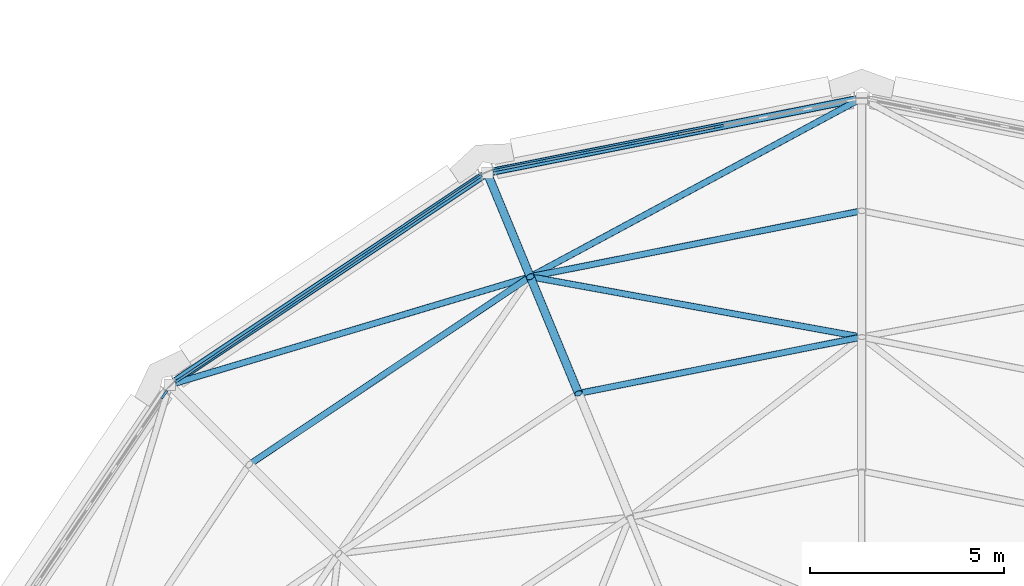
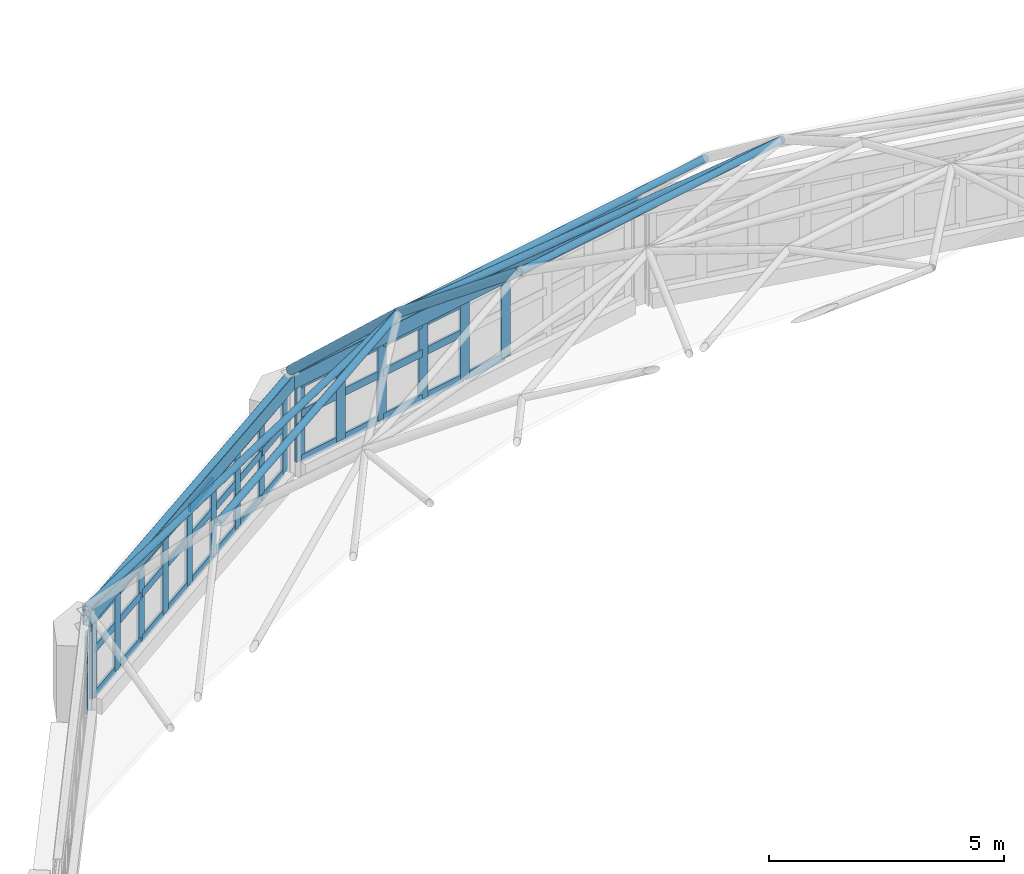
# One storey, part 25 of 68: 61 members, 2 beams, 3 elements without a shape of their own.
"""IFC4 building model written with IfcOpenShell, lengths in metres."""

from ifc_helpers import new_model, si_unit, direction, frame, origin, origin_2d, place, context, subcontext, project, spatial, rectangle, hollow_rectangle, hollow_circle, extrude, material, material_profile, profile_set, type_object, element, aggregate, save


model = new_model("IFC4")

# Units and contexts
model_context = context("Model", 3, precision=1e-05, world=origin(), true_north=direction((0.0, 1.0)))
body_context = subcontext(model_context, "Body", "Model", "MODEL_VIEW")
ifc_project = project(units=[si_unit("LENGTHUNIT", "METRE"), si_unit("AREAUNIT", "SQUARE_METRE"), si_unit("VOLUMEUNIT", "CUBIC_METRE"), si_unit("PLANEANGLEUNIT", "RADIAN"), si_unit("MASSUNIT", "GRAM", prefix="KILO")], contexts=[model_context])

# Site, building, storey
site_placement = place(None, origin())
site = spatial("IfcSite", under=ifc_project, at=site_placement, CompositionType="ELEMENT")
building_placement = place(site_placement, origin())
building = spatial("IfcBuilding", under=site, at=building_placement, Name="Kupolbacken Congress Centre", CompositionType="ELEMENT")
storey_placement = place(building_placement, frame((0.0, 0.0, 25.199951171875)))
storey = spatial("IfcBuildingStorey", under=building, at=storey_placement, Name="L07", CompositionType="ELEMENT", Elevation=25.199951171875)

# Beams
ifc_material_1 = material(Name="Steel S355", Category="steel")
ifc_material_profile_1 = material_profile(ifc_material_1, hollow_rectangle(XDim=0.199951171875, YDim=0.39990234375, WallThickness=0.012451171875, InnerFilletRadius=0.012451171875, OuterFilletRadius=0.018798828125, at=origin_2d()), Name="RHS 400 x 200 x 12.5")
ifc_profile_set_1 = profile_set([ifc_material_profile_1], Name="Steel S355")
beam_type = type_object("IfcBeamType", Name="B19 ring beam RHS 400 x 200 x 12.5", PredefinedType="BEAM", material=ifc_profile_set_1)
for number, where, z_axis, x_axis, name in (
    (1, (43.180419921875, 111.59619140625, 2.590087890625), (-0.98078152375, -0.195109207038, 0.0), (0.195109207038, -0.98078152375, 0.0), "DM/RB/05"),
    (2, (33.539794921875, 109.670654296875, 2.590087890625), (-0.831474515513, -0.555562894777, 0.0), (0.555562894777, -0.831474515513, 0.0), "DM/RB/06"),
):
    element("IfcBeam", number, at=place(storey_placement, frame(where, z_axis=z_axis, x_axis=x_axis)), inside=storey, type_object=beam_type, Name=name, PredefinedType="BEAM", context=body_context, shape_type="SweptSolid", body=[
        extrude(hollow_rectangle(XDim=0.199951171875, YDim=0.39990234375, WallThickness=0.012451171875, InnerFilletRadius=0.012451171875, OuterFilletRadius=0.018798828125, at=origin_2d()), origin(), (0.0, 0.0, 1.0), 9.792724609375),
    ])

# Members
ifc_material_2 = material(Name="Steel S355", Category="steel")
ifc_material_profile_2 = material_profile(ifc_material_2, hollow_circle(Radius=0.109619140625, WallThickness=0.010009765625, at=origin_2d()), Name="CHS 219.1 x 10")
ifc_profile_set_2 = profile_set([ifc_material_profile_2], Name="Steel S355")
member_type_1 = type_object("IfcMemberType", Name="M15 dome rib CHS 219.1 x 10", PredefinedType="BRACE", material=ifc_profile_set_2)
member_1_placement = place(storey_placement, frame((33.556396484375, 109.681884765625, 2.86279296875), z_axis=(0.27830154342, -0.671878451173, 0.686387352579), x_axis=(0.923879349385, 0.38268387447, 0.0)))
element("IfcMember", 3, at=member_1_placement, inside=storey, type_object=member_type_1, Name="DM/RIB01-06", PredefinedType="BRACE", context=body_context, shape_type="SweptSolid", body=[
    extrude(hollow_circle(Radius=0.109619140625, WallThickness=0.010009765625, at=origin_2d()), origin(), (0.0, 0.0, 1.0), 3.988037109375),
])
member_2_placement = place(storey_placement, frame((34.666259765625, 107.00244140625, 5.60009765625), z_axis=(0.305577803829, -0.737729845207, 0.60197747574), x_axis=(0.923879489751, 0.382683535598, 0.0)))
element("IfcMember", 4, at=member_2_placement, inside=storey, type_object=member_type_1, Name="DM/RIB02-06", PredefinedType="BRACE", context=body_context, shape_type="SweptSolid", body=[
    extrude(hollow_circle(Radius=0.109619140625, WallThickness=0.010009765625, at=origin_2d()), origin(), (0.0, 0.0, 1.0), 4.06982421875),
])
ifc_material_3 = material(Name="Steel S355", Category="steel")
ifc_material_profile_3 = material_profile(ifc_material_3, hollow_circle(Radius=0.084228515625, WallThickness=0.008056640625, at=origin_2d()), Name="CHS 168.3 x 8")
ifc_profile_set_3 = profile_set([ifc_material_profile_3], Name="Steel S355")
member_type_2 = type_object("IfcMemberType", Name="M16 dome rib CHS 168.3 x 8", PredefinedType="BRACE", material=ifc_profile_set_3)
member_3_placement = place(storey_placement, frame((43.199951171875, 111.60009765625, 2.86279296875), z_axis=(-0.847227111169, -0.456456513061, 0.271760324153), x_axis=(0.474307076394, -0.880359470491, 0.0)))
element("IfcMember", 5, at=member_3_placement, inside=storey, type_object=member_type_2, Name="DM/DIA01-05", PredefinedType="BRACE", context=body_context, shape_type="SweptSolid", body=[
    extrude(hollow_circle(Radius=0.084228515625, WallThickness=0.008056640625, at=origin_2d()), origin(), (0.0, 0.0, 1.0), 10.072509765625),
])
member_4_placement = place(storey_placement, frame((34.666259765625, 107.00244140625, 5.60009765625), z_axis=(-0.921839225376, -0.276336050496, -0.271755091497), x_axis=(0.287142234188, -0.957887956572, 0.0)))
element("IfcMember", 6, at=member_4_placement, inside=storey, type_object=member_type_2, Name="DM/DIA01-06", PredefinedType="BRACE", context=body_context, shape_type="SweptSolid", body=[
    extrude(hollow_circle(Radius=0.084228515625, WallThickness=0.008056640625, at=origin_2d()), origin(), (0.0, 0.0, 1.0), 10.07275390625),
])
member_5_placement = place(storey_placement, frame((43.199951171875, 105.449951171875, 8.050048828125), z_axis=(-0.946807444988, 0.172247769717, -0.271820470059), x_axis=(-0.178986991747, -0.983851440404, 0.0)))
element("IfcMember", 7, at=member_5_placement, inside=storey, type_object=member_type_2, Name="DM/DIA02-05", PredefinedType="BRACE", context=body_context, shape_type="SweptSolid", body=[
    extrude(hollow_circle(Radius=0.084228515625, WallThickness=0.008056640625, at=origin_2d()), origin(), (0.0, 0.0, 1.0), 9.01318359375),
])
ifc_material_4 = material(Name="Steel S355", Category="steel")
ifc_material_profile_4 = material_profile(ifc_material_4, hollow_circle(Radius=0.084228515625, WallThickness=0.008056640625, at=origin_2d()), Name="CHS 168.3 x 8")
ifc_profile_set_4 = profile_set([ifc_material_profile_4], Name="Steel S355")
member_type_3 = type_object("IfcMemberType", Name="M17 dome ring CHS 168.3 x 8", PredefinedType="BRACE", material=ifc_profile_set_4)
for number, where, z_axis, x_axis, name in (
    (8, (43.199951171875, 108.699951171875, 5.60009765625), (-0.980784114738, -0.195096182119, 0.0), (0.195096182119, -0.980784114738, 0.0), "DM/RNG01-05"),
    (9, (34.666259765625, 107.00244140625, 5.60009765625), (-0.831471395516, -0.555567564243, 0.0), (0.555567564243, -0.831471395516, 0.0), "DM/RNG01-06"),
):
    element("IfcMember", number, at=place(storey_placement, frame(where, z_axis=z_axis, x_axis=x_axis)), inside=storey, type_object=member_type_3, Name=name, PredefinedType="BRACE", context=body_context, shape_type="SweptSolid", body=[
        extrude(hollow_circle(Radius=0.084228515625, WallThickness=0.008056640625, at=origin_2d()), origin(), (0.0, 0.0, 1.0), 8.700927734375),
    ])
member_6_placement = place(storey_placement, frame((43.199951171875, 105.449951171875, 8.050048828125), z_axis=(-0.980788569065, -0.195073788067, 0.0), x_axis=(0.195073788067, -0.980788569065, 0.0)))
element("IfcMember", 10, at=member_6_placement, inside=storey, type_object=member_type_3, Name="DM/RNG02-05", PredefinedType="BRACE", context=body_context, shape_type="SweptSolid", body=[
    extrude(hollow_circle(Radius=0.084228515625, WallThickness=0.008056640625, at=origin_2d()), origin(), (0.0, 0.0, 1.0), 7.432861328125),
])

# Curtain wall, members
ifc_material_5 = material(Name="Aluminium mullion-transom frame with glass", Category="aluminium")
curtain_wall_type = type_object("IfcCurtainWallType", Name="CW3 curtain wall 9830x3600", PredefinedType="NOTDEFINED", material=ifc_material_5)
curtain_wall_1_placement = place(storey_placement, origin())
curtain_wall_1 = element("IfcCurtainWall", 11, at=curtain_wall_1_placement, inside=storey, type_object=curtain_wall_type, Name="E/P/drum/cw/L07/12", PredefinedType="NOTDEFINED")
ifc_material_6 = material(Name="Aluminium alloy", Category="aluminium")
ifc_material_profile_5 = material_profile(ifc_material_6, rectangle(XDim=0.06005859375, YDim=0.25, at=origin_2d()), Name="60 x 250")
ifc_profile_set_5 = profile_set([ifc_material_profile_5], Name="Aluminium alloy")
member_type_4 = type_object("IfcMemberType", Name="MU3 mullion 60x250", PredefinedType="MULLION", material=ifc_profile_set_5)
member_7_placement = place(storey_placement, frame((39.52001953125, 110.87548828125, 0.400146484375), z_axis=(0.0, 0.0, 1.0), x_axis=(0.193182327812, -0.981162875481, 0.0)))
member_7 = element("IfcMember", 12, at=member_7_placement, type_object=member_type_4, Name="CW3 mullion 4", PredefinedType="MULLION", context=body_context, shape_type="SweptSolid", body=[
    extrude(rectangle(XDim=0.06005859375, YDim=0.25, at=origin_2d()), origin(), (0.0, 0.0, 1.0), 1.989990234375),
])
member_8_placement = place(storey_placement, frame((38.375, 110.64990234375, 0.400146484375), z_axis=(0.0, 0.0, 1.0), x_axis=(0.193182327812, -0.981162875481, 0.0)))
member_8 = element("IfcMember", 13, at=member_8_placement, type_object=member_type_4, Name="CW3 mullion 5", PredefinedType="MULLION", context=body_context, shape_type="SweptSolid", body=[
    extrude(rectangle(XDim=0.06005859375, YDim=0.25, at=origin_2d()), origin(), (0.0, 0.0, 1.0), 1.989990234375),
])
member_9_placement = place(storey_placement, frame((37.22998046875, 110.424560546875, 0.400146484375), z_axis=(0.0, 0.0, 1.0), x_axis=(0.193182327812, -0.981162875481, 0.0)))
member_9 = element("IfcMember", 14, at=member_9_placement, type_object=member_type_4, Name="CW3 mullion 6", PredefinedType="MULLION", context=body_context, shape_type="SweptSolid", body=[
    extrude(rectangle(XDim=0.06005859375, YDim=0.25, at=origin_2d()), origin(), (0.0, 0.0, 1.0), 1.989990234375),
])
member_10_placement = place(storey_placement, frame((36.085205078125, 110.19921875, 0.400146484375), z_axis=(0.0, 0.0, 1.0), x_axis=(0.193182327812, -0.981162875481, 0.0)))
member_10 = element("IfcMember", 15, at=member_10_placement, type_object=member_type_4, Name="CW3 mullion 7", PredefinedType="MULLION", context=body_context, shape_type="SweptSolid", body=[
    extrude(rectangle(XDim=0.06005859375, YDim=0.25, at=origin_2d()), origin(), (0.0, 0.0, 1.0), 1.989990234375),
])
member_11_placement = place(storey_placement, frame((34.940185546875, 109.9736328125, 0.400146484375), z_axis=(0.0, 0.0, 1.0), x_axis=(0.193182327812, -0.981162875481, 0.0)))
member_11 = element("IfcMember", 16, at=member_11_placement, type_object=member_type_4, Name="CW3 mullion 8", PredefinedType="MULLION", context=body_context, shape_type="SweptSolid", body=[
    extrude(rectangle(XDim=0.06005859375, YDim=0.25, at=origin_2d()), origin(), (0.0, 0.0, 1.0), 1.989990234375),
])
member_12_placement = place(storey_placement, frame((33.82470703125, 109.754150390625, 0.400146484375), z_axis=(0.0, 0.0, 1.0), x_axis=(0.193182327812, -0.981162875481, 0.0)))
member_12 = element("IfcMember", 17, at=member_12_placement, type_object=member_type_4, Name="CW3 mullion 9", PredefinedType="MULLION", context=body_context, shape_type="SweptSolid", body=[
    extrude(rectangle(XDim=0.06005859375, YDim=0.25, at=origin_2d()), origin(), (0.0, 0.0, 1.0), 1.989990234375),
])

curtain_wall_2_placement = place(storey_placement, origin())
curtain_wall_2 = element("IfcCurtainWall", 18, at=curtain_wall_2_placement, inside=storey, type_object=curtain_wall_type, Name="E/P/drum/cw/L07/13", PredefinedType="NOTDEFINED")
member_13_placement = place(storey_placement, frame((33.31787109375, 109.54345703125, 0.400146484375), z_axis=(0.0, 0.0, 1.0), x_axis=(0.559385512775, -0.82890762338, 0.0)))
member_13 = element("IfcMember", 19, at=member_13_placement, type_object=member_type_4, Name="CW3 mullion 1", PredefinedType="MULLION", context=body_context, shape_type="SweptSolid", body=[
    extrude(rectangle(XDim=0.06005859375, YDim=0.25, at=origin_2d()), origin(), (0.0, 0.0, 1.0), 1.989990234375),
])
member_14_placement = place(storey_placement, frame((32.375732421875, 108.90771484375, 0.400146484375), z_axis=(0.0, 0.0, 1.0), x_axis=(0.559385512775, -0.82890762338, 0.0)))
member_14 = element("IfcMember", 20, at=member_14_placement, type_object=member_type_4, Name="CW3 mullion 2", PredefinedType="MULLION", context=body_context, shape_type="SweptSolid", body=[
    extrude(rectangle(XDim=0.06005859375, YDim=0.25, at=origin_2d()), origin(), (0.0, 0.0, 1.0), 1.989990234375),
])
member_15_placement = place(storey_placement, frame((31.408935546875, 108.255126953125, 0.400146484375), z_axis=(0.0, 0.0, 1.0), x_axis=(0.559385512775, -0.82890762338, 0.0)))
member_15 = element("IfcMember", 21, at=member_15_placement, type_object=member_type_4, Name="CW3 mullion 3", PredefinedType="MULLION", context=body_context, shape_type="SweptSolid", body=[
    extrude(rectangle(XDim=0.06005859375, YDim=0.25, at=origin_2d()), origin(), (0.0, 0.0, 1.0), 1.989990234375),
])
member_16_placement = place(storey_placement, frame((30.44189453125, 107.6025390625, 0.400146484375), z_axis=(0.0, 0.0, 1.0), x_axis=(0.559385512775, -0.82890762338, 0.0)))
member_16 = element("IfcMember", 22, at=member_16_placement, type_object=member_type_4, Name="CW3 mullion 4", PredefinedType="MULLION", context=body_context, shape_type="SweptSolid", body=[
    extrude(rectangle(XDim=0.06005859375, YDim=0.25, at=origin_2d()), origin(), (0.0, 0.0, 1.0), 1.989990234375),
])
member_17_placement = place(storey_placement, frame((29.47509765625, 106.949951171875, 0.400146484375), z_axis=(0.0, 0.0, 1.0), x_axis=(0.559385512775, -0.82890762338, 0.0)))
member_17 = element("IfcMember", 23, at=member_17_placement, type_object=member_type_4, Name="CW3 mullion 5", PredefinedType="MULLION", context=body_context, shape_type="SweptSolid", body=[
    extrude(rectangle(XDim=0.06005859375, YDim=0.25, at=origin_2d()), origin(), (0.0, 0.0, 1.0), 1.989990234375),
])
member_18_placement = place(storey_placement, frame((28.508056640625, 106.29736328125, 0.400146484375), z_axis=(0.0, 0.0, 1.0), x_axis=(0.559385512775, -0.82890762338, 0.0)))
member_18 = element("IfcMember", 24, at=member_18_placement, type_object=member_type_4, Name="CW3 mullion 6", PredefinedType="MULLION", context=body_context, shape_type="SweptSolid", body=[
    extrude(rectangle(XDim=0.06005859375, YDim=0.25, at=origin_2d()), origin(), (0.0, 0.0, 1.0), 1.989990234375),
])
member_19_placement = place(storey_placement, frame((27.541015625, 105.64501953125, 0.400146484375), z_axis=(0.0, 0.0, 1.0), x_axis=(0.559385512775, -0.82890762338, 0.0)))
member_19 = element("IfcMember", 25, at=member_19_placement, type_object=member_type_4, Name="CW3 mullion 7", PredefinedType="MULLION", context=body_context, shape_type="SweptSolid", body=[
    extrude(rectangle(XDim=0.06005859375, YDim=0.25, at=origin_2d()), origin(), (0.0, 0.0, 1.0), 1.989990234375),
])
member_20_placement = place(storey_placement, frame((26.57421875, 104.992431640625, 0.400146484375), z_axis=(0.0, 0.0, 1.0), x_axis=(0.559385512775, -0.82890762338, 0.0)))
member_20 = element("IfcMember", 26, at=member_20_placement, type_object=member_type_4, Name="CW3 mullion 8", PredefinedType="MULLION", context=body_context, shape_type="SweptSolid", body=[
    extrude(rectangle(XDim=0.06005859375, YDim=0.25, at=origin_2d()), origin(), (0.0, 0.0, 1.0), 1.989990234375),
])
member_21_placement = place(storey_placement, frame((25.632080078125, 104.356689453125, 0.400146484375), z_axis=(0.0, 0.0, 1.0), x_axis=(0.559385512775, -0.82890762338, 0.0)))
member_21 = element("IfcMember", 27, at=member_21_placement, type_object=member_type_4, Name="CW3 mullion 9", PredefinedType="MULLION", context=body_context, shape_type="SweptSolid", body=[
    extrude(rectangle(XDim=0.06005859375, YDim=0.25, at=origin_2d()), origin(), (0.0, 0.0, 1.0), 1.989990234375),
])

# Curtain wall, member
curtain_wall_3_placement = place(storey_placement, origin())
curtain_wall_3 = element("IfcCurtainWall", 28, at=curtain_wall_3_placement, inside=storey, type_object=curtain_wall_type, Name="E/P/drum/cw/L07/14", PredefinedType="NOTDEFINED")
member_22_placement = place(storey_placement, frame((25.243408203125, 103.968017578125, 0.400146484375), z_axis=(0.0, 0.0, 1.0), x_axis=(0.82890762338, -0.559385512775, 0.0)))
member_22 = element("IfcMember", 29, at=member_22_placement, type_object=member_type_4, Name="CW3 mullion 1", PredefinedType="MULLION", context=body_context, shape_type="SweptSolid", body=[
    extrude(rectangle(XDim=0.06005859375, YDim=0.25, at=origin_2d()), origin(), (0.0, 0.0, 1.0), 1.989990234375),
])
aggregate(curtain_wall_3, [member_22])

# Member
ifc_material_7 = material(Name="Aluminium alloy", Category="aluminium")
ifc_material_profile_6 = material_profile(ifc_material_7, rectangle(XDim=0.06005859375, YDim=0.199951171875, at=origin_2d()), Name="60 x 200")
ifc_profile_set_6 = profile_set([ifc_material_profile_6], Name="Aluminium alloy")
member_type_5 = type_object("IfcMemberType", Name="TR3 transom 60x200", PredefinedType="MULLION", material=ifc_profile_set_6)
member_23_placement = place(storey_placement, frame((39.490478515625, 110.86962890625, 0.429931640625), z_axis=(-0.981153342462, -0.193230739208, 0.0), x_axis=(0.193230739208, -0.981153342462, 0.0)))
member_23 = element("IfcMember", 30, at=member_23_placement, type_object=member_type_5, Name="CW3 transom 4.1", PredefinedType="MULLION", context=body_context, shape_type="SweptSolid", body=[
    extrude(rectangle(XDim=0.06005859375, YDim=0.199951171875, at=origin_2d()), origin(), (0.0, 0.0, 1.0), 1.106689453125),
])

member_24_placement = place(storey_placement, frame((38.345458984375, 110.644287109375, 0.429931640625), z_axis=(-0.981153342462, -0.193230739208, 0.0), x_axis=(0.193230739208, -0.981153342462, 0.0)))
member_24 = element("IfcMember", 31, at=member_24_placement, type_object=member_type_5, Name="CW3 transom 5.1", PredefinedType="MULLION", context=body_context, shape_type="SweptSolid", body=[
    extrude(rectangle(XDim=0.06005859375, YDim=0.199951171875, at=origin_2d()), origin(), (0.0, 0.0, 1.0), 1.106689453125),
])

member_25_placement = place(storey_placement, frame((38.345458984375, 110.644287109375, 1.60009765625), z_axis=(-0.981153342462, -0.193230739208, 0.0), x_axis=(0.193230739208, -0.981153342462, 0.0)))
member_25 = element("IfcMember", 32, at=member_25_placement, type_object=member_type_5, Name="CW3 transom 5.2", PredefinedType="MULLION", context=body_context, shape_type="SweptSolid", body=[
    extrude(rectangle(XDim=0.06005859375, YDim=0.199951171875, at=origin_2d()), origin(), (0.0, 0.0, 1.0), 1.106689453125),
])

member_26_placement = place(storey_placement, frame((38.345458984375, 110.644287109375, 2.360107421875), z_axis=(-0.981153342462, -0.193230739208, 0.0), x_axis=(0.193230739208, -0.981153342462, 0.0)))
member_26 = element("IfcMember", 33, at=member_26_placement, type_object=member_type_5, Name="CW3 transom 5.3", PredefinedType="MULLION", context=body_context, shape_type="SweptSolid", body=[
    extrude(rectangle(XDim=0.06005859375, YDim=0.199951171875, at=origin_2d()), origin(), (0.0, 0.0, 1.0), 1.106689453125),
])

member_27_placement = place(storey_placement, frame((37.20068359375, 110.418701171875, 0.429931640625), z_axis=(-0.981161575945, -0.193188927968, 0.0), x_axis=(0.193188927968, -0.981161575945, 0.0)))
member_27 = element("IfcMember", 34, at=member_27_placement, type_object=member_type_5, Name="CW3 transom 6.1", PredefinedType="MULLION", context=body_context, shape_type="SweptSolid", body=[
    extrude(rectangle(XDim=0.06005859375, YDim=0.199951171875, at=origin_2d()), origin(), (0.0, 0.0, 1.0), 1.10693359375),
])

member_28_placement = place(storey_placement, frame((37.20068359375, 110.418701171875, 1.60009765625), z_axis=(-0.981161575945, -0.193188927968, 0.0), x_axis=(0.193188927968, -0.981161575945, 0.0)))
member_28 = element("IfcMember", 35, at=member_28_placement, type_object=member_type_5, Name="CW3 transom 6.2", PredefinedType="MULLION", context=body_context, shape_type="SweptSolid", body=[
    extrude(rectangle(XDim=0.06005859375, YDim=0.199951171875, at=origin_2d()), origin(), (0.0, 0.0, 1.0), 1.10693359375),
])

member_29_placement = place(storey_placement, frame((37.20068359375, 110.418701171875, 2.360107421875), z_axis=(-0.981161575945, -0.193188927968, 0.0), x_axis=(0.193188927968, -0.981161575945, 0.0)))
member_29 = element("IfcMember", 36, at=member_29_placement, type_object=member_type_5, Name="CW3 transom 6.3", PredefinedType="MULLION", context=body_context, shape_type="SweptSolid", body=[
    extrude(rectangle(XDim=0.06005859375, YDim=0.199951171875, at=origin_2d()), origin(), (0.0, 0.0, 1.0), 1.10693359375),
])

member_30_placement = place(storey_placement, frame((36.0556640625, 110.193359375, 0.429931640625), z_axis=(-0.981153342462, -0.193230739208, 0.0), x_axis=(0.193230739208, -0.981153342462, 0.0)))
member_30 = element("IfcMember", 37, at=member_30_placement, type_object=member_type_5, Name="CW3 transom 7.1", PredefinedType="MULLION", context=body_context, shape_type="SweptSolid", body=[
    extrude(rectangle(XDim=0.06005859375, YDim=0.199951171875, at=origin_2d()), origin(), (0.0, 0.0, 1.0), 1.106689453125),
])

member_31_placement = place(storey_placement, frame((36.0556640625, 110.193359375, 1.60009765625), z_axis=(-0.981153342462, -0.193230739208, 0.0), x_axis=(0.193230739208, -0.981153342462, 0.0)))
member_31 = element("IfcMember", 38, at=member_31_placement, type_object=member_type_5, Name="CW3 transom 7.2", PredefinedType="MULLION", context=body_context, shape_type="SweptSolid", body=[
    extrude(rectangle(XDim=0.06005859375, YDim=0.199951171875, at=origin_2d()), origin(), (0.0, 0.0, 1.0), 1.106689453125),
])

member_32_placement = place(storey_placement, frame((36.0556640625, 110.193359375, 2.360107421875), z_axis=(-0.981153342462, -0.193230739208, 0.0), x_axis=(0.193230739208, -0.981153342462, 0.0)))
member_32 = element("IfcMember", 39, at=member_32_placement, type_object=member_type_5, Name="CW3 transom 7.3", PredefinedType="MULLION", context=body_context, shape_type="SweptSolid", body=[
    extrude(rectangle(XDim=0.06005859375, YDim=0.199951171875, at=origin_2d()), origin(), (0.0, 0.0, 1.0), 1.106689453125),
])

member_33_placement = place(storey_placement, frame((34.910888671875, 109.968017578125, 0.429931640625), z_axis=(-0.98112612336, -0.193368896309, 0.0), x_axis=(0.193368896309, -0.98112612336, 0.0)))
member_33 = element("IfcMember", 40, at=member_33_placement, type_object=member_type_5, Name="CW3 transom 8.1", PredefinedType="MULLION", context=body_context, shape_type="SweptSolid", body=[
    extrude(rectangle(XDim=0.06005859375, YDim=0.199951171875, at=origin_2d()), origin(), (0.0, 0.0, 1.0), 1.076904296875),
])

member_34_placement = place(storey_placement, frame((34.910888671875, 109.968017578125, 1.60009765625), z_axis=(-0.98112612336, -0.193368896309, 0.0), x_axis=(0.193368896309, -0.98112612336, 0.0)))
member_34 = element("IfcMember", 41, at=member_34_placement, type_object=member_type_5, Name="CW3 transom 8.2", PredefinedType="MULLION", context=body_context, shape_type="SweptSolid", body=[
    extrude(rectangle(XDim=0.06005859375, YDim=0.199951171875, at=origin_2d()), origin(), (0.0, 0.0, 1.0), 1.076904296875),
])

member_35_placement = place(storey_placement, frame((34.910888671875, 109.968017578125, 2.360107421875), z_axis=(-0.98112612336, -0.193368896309, 0.0), x_axis=(0.193368896309, -0.98112612336, 0.0)))
member_35 = element("IfcMember", 42, at=member_35_placement, type_object=member_type_5, Name="CW3 transom 8.3", PredefinedType="MULLION", context=body_context, shape_type="SweptSolid", body=[
    extrude(rectangle(XDim=0.06005859375, YDim=0.199951171875, at=origin_2d()), origin(), (0.0, 0.0, 1.0), 1.076904296875),
])

aggregate(curtain_wall_1, [member_7, member_8, member_9, member_10, member_11, member_12, member_23, member_24, member_25, member_26, member_27, member_28, member_29, member_30, member_31, member_32, member_33, member_34, member_35])

member_36_placement = place(storey_placement, frame((33.29296875, 109.526611328125, 0.429931640625), z_axis=(-0.8288618188, -0.559453380842, 0.0), x_axis=(0.559453380842, -0.8288618188, 0.0)))
member_36 = element("IfcMember", 43, at=member_36_placement, type_object=member_type_5, Name="CW3 transom 1.1", PredefinedType="MULLION", context=body_context, shape_type="SweptSolid", body=[
    extrude(rectangle(XDim=0.06005859375, YDim=0.199951171875, at=origin_2d()), origin(), (0.0, 0.0, 1.0), 1.07666015625),
])

member_37_placement = place(storey_placement, frame((33.29296875, 109.526611328125, 1.60009765625), z_axis=(-0.8288618188, -0.559453380842, 0.0), x_axis=(0.559453380842, -0.8288618188, 0.0)))
member_37 = element("IfcMember", 44, at=member_37_placement, type_object=member_type_5, Name="CW3 transom 1.2", PredefinedType="MULLION", context=body_context, shape_type="SweptSolid", body=[
    extrude(rectangle(XDim=0.06005859375, YDim=0.199951171875, at=origin_2d()), origin(), (0.0, 0.0, 1.0), 1.07666015625),
])

member_38_placement = place(storey_placement, frame((33.29296875, 109.526611328125, 2.360107421875), z_axis=(-0.8288618188, -0.559453380842, 0.0), x_axis=(0.559453380842, -0.8288618188, 0.0)))
member_38 = element("IfcMember", 45, at=member_38_placement, type_object=member_type_5, Name="CW3 transom 1.3", PredefinedType="MULLION", context=body_context, shape_type="SweptSolid", body=[
    extrude(rectangle(XDim=0.06005859375, YDim=0.199951171875, at=origin_2d()), origin(), (0.0, 0.0, 1.0), 1.07666015625),
])

member_39_placement = place(storey_placement, frame((32.35107421875, 108.890869140625, 0.429931640625), z_axis=(-0.828948418317, -0.559325057342, 0.0), x_axis=(0.559325057342, -0.828948418317, 0.0)))
member_39 = element("IfcMember", 46, at=member_39_placement, type_object=member_type_5, Name="CW3 transom 2.1", PredefinedType="MULLION", context=body_context, shape_type="SweptSolid", body=[
    extrude(rectangle(XDim=0.06005859375, YDim=0.199951171875, at=origin_2d()), origin(), (0.0, 0.0, 1.0), 1.1064453125),
])

member_40_placement = place(storey_placement, frame((32.35107421875, 108.890869140625, 1.60009765625), z_axis=(-0.828948418317, -0.559325057342, 0.0), x_axis=(0.559325057342, -0.828948418317, 0.0)))
member_40 = element("IfcMember", 47, at=member_40_placement, type_object=member_type_5, Name="CW3 transom 2.2", PredefinedType="MULLION", context=body_context, shape_type="SweptSolid", body=[
    extrude(rectangle(XDim=0.06005859375, YDim=0.199951171875, at=origin_2d()), origin(), (0.0, 0.0, 1.0), 1.1064453125),
])

member_41_placement = place(storey_placement, frame((32.35107421875, 108.890869140625, 2.360107421875), z_axis=(-0.828948418317, -0.559325057342, 0.0), x_axis=(0.559325057342, -0.828948418317, 0.0)))
member_41 = element("IfcMember", 48, at=member_41_placement, type_object=member_type_5, Name="CW3 transom 2.3", PredefinedType="MULLION", context=body_context, shape_type="SweptSolid", body=[
    extrude(rectangle(XDim=0.06005859375, YDim=0.199951171875, at=origin_2d()), origin(), (0.0, 0.0, 1.0), 1.1064453125),
])

member_42_placement = place(storey_placement, frame((31.384033203125, 108.23828125, 0.429931640625), z_axis=(-0.828948418317, -0.559325057342, 0.0), x_axis=(0.559325057342, -0.828948418317, 0.0)))
member_42 = element("IfcMember", 49, at=member_42_placement, type_object=member_type_5, Name="CW3 transom 3.1", PredefinedType="MULLION", context=body_context, shape_type="SweptSolid", body=[
    extrude(rectangle(XDim=0.06005859375, YDim=0.199951171875, at=origin_2d()), origin(), (0.0, 0.0, 1.0), 1.1064453125),
])

member_43_placement = place(storey_placement, frame((31.384033203125, 108.23828125, 1.60009765625), z_axis=(-0.828948418317, -0.559325057342, 0.0), x_axis=(0.559325057342, -0.828948418317, 0.0)))
member_43 = element("IfcMember", 50, at=member_43_placement, type_object=member_type_5, Name="CW3 transom 3.2", PredefinedType="MULLION", context=body_context, shape_type="SweptSolid", body=[
    extrude(rectangle(XDim=0.06005859375, YDim=0.199951171875, at=origin_2d()), origin(), (0.0, 0.0, 1.0), 1.1064453125),
])

member_44_placement = place(storey_placement, frame((31.384033203125, 108.23828125, 2.360107421875), z_axis=(-0.828948418317, -0.559325057342, 0.0), x_axis=(0.559325057342, -0.828948418317, 0.0)))
member_44 = element("IfcMember", 51, at=member_44_placement, type_object=member_type_5, Name="CW3 transom 3.3", PredefinedType="MULLION", context=body_context, shape_type="SweptSolid", body=[
    extrude(rectangle(XDim=0.06005859375, YDim=0.199951171875, at=origin_2d()), origin(), (0.0, 0.0, 1.0), 1.1064453125),
])

member_45_placement = place(storey_placement, frame((30.4169921875, 107.585693359375, 0.429931640625), z_axis=(-0.828948418317, -0.559325057342, 0.0), x_axis=(0.559325057342, -0.828948418317, 0.0)))
member_45 = element("IfcMember", 52, at=member_45_placement, type_object=member_type_5, Name="CW3 transom 4.1", PredefinedType="MULLION", context=body_context, shape_type="SweptSolid", body=[
    extrude(rectangle(XDim=0.06005859375, YDim=0.199951171875, at=origin_2d()), origin(), (0.0, 0.0, 1.0), 1.1064453125),
])

member_46_placement = place(storey_placement, frame((30.4169921875, 107.585693359375, 1.60009765625), z_axis=(-0.828948418317, -0.559325057342, 0.0), x_axis=(0.559325057342, -0.828948418317, 0.0)))
member_46 = element("IfcMember", 53, at=member_46_placement, type_object=member_type_5, Name="CW3 transom 4.2", PredefinedType="MULLION", context=body_context, shape_type="SweptSolid", body=[
    extrude(rectangle(XDim=0.06005859375, YDim=0.199951171875, at=origin_2d()), origin(), (0.0, 0.0, 1.0), 1.1064453125),
])

member_47_placement = place(storey_placement, frame((30.4169921875, 107.585693359375, 2.360107421875), z_axis=(-0.828948418317, -0.559325057342, 0.0), x_axis=(0.559325057342, -0.828948418317, 0.0)))
member_47 = element("IfcMember", 54, at=member_47_placement, type_object=member_type_5, Name="CW3 transom 4.3", PredefinedType="MULLION", context=body_context, shape_type="SweptSolid", body=[
    extrude(rectangle(XDim=0.06005859375, YDim=0.199951171875, at=origin_2d()), origin(), (0.0, 0.0, 1.0), 1.1064453125),
])

member_48_placement = place(storey_placement, frame((29.4501953125, 106.93310546875, 0.429931640625), z_axis=(-0.828948418317, -0.559325057342, 0.0), x_axis=(0.559325057342, -0.828948418317, 0.0)))
member_48 = element("IfcMember", 55, at=member_48_placement, type_object=member_type_5, Name="CW3 transom 5.1", PredefinedType="MULLION", context=body_context, shape_type="SweptSolid", body=[
    extrude(rectangle(XDim=0.06005859375, YDim=0.199951171875, at=origin_2d()), origin(), (0.0, 0.0, 1.0), 1.1064453125),
])

member_49_placement = place(storey_placement, frame((29.4501953125, 106.93310546875, 1.60009765625), z_axis=(-0.828948418317, -0.559325057342, 0.0), x_axis=(0.559325057342, -0.828948418317, 0.0)))
member_49 = element("IfcMember", 56, at=member_49_placement, type_object=member_type_5, Name="CW3 transom 5.2", PredefinedType="MULLION", context=body_context, shape_type="SweptSolid", body=[
    extrude(rectangle(XDim=0.06005859375, YDim=0.199951171875, at=origin_2d()), origin(), (0.0, 0.0, 1.0), 1.1064453125),
])

member_50_placement = place(storey_placement, frame((29.4501953125, 106.93310546875, 2.360107421875), z_axis=(-0.828948418317, -0.559325057342, 0.0), x_axis=(0.559325057342, -0.828948418317, 0.0)))
member_50 = element("IfcMember", 57, at=member_50_placement, type_object=member_type_5, Name="CW3 transom 5.3", PredefinedType="MULLION", context=body_context, shape_type="SweptSolid", body=[
    extrude(rectangle(XDim=0.06005859375, YDim=0.199951171875, at=origin_2d()), origin(), (0.0, 0.0, 1.0), 1.1064453125),
])

member_51_placement = place(storey_placement, frame((28.483154296875, 106.28076171875, 0.429931640625), z_axis=(-0.8288461165, -0.559476643983, 0.0), x_axis=(0.559476643983, -0.8288461165, 0.0)))
member_51 = element("IfcMember", 58, at=member_51_placement, type_object=member_type_5, Name="CW3 transom 6.1", PredefinedType="MULLION", context=body_context, shape_type="SweptSolid", body=[
    extrude(rectangle(XDim=0.06005859375, YDim=0.199951171875, at=origin_2d()), origin(), (0.0, 0.0, 1.0), 1.106689453125),
])

member_52_placement = place(storey_placement, frame((28.483154296875, 106.28076171875, 1.60009765625), z_axis=(-0.8288461165, -0.559476643983, 0.0), x_axis=(0.559476643983, -0.8288461165, 0.0)))
member_52 = element("IfcMember", 59, at=member_52_placement, type_object=member_type_5, Name="CW3 transom 6.2", PredefinedType="MULLION", context=body_context, shape_type="SweptSolid", body=[
    extrude(rectangle(XDim=0.06005859375, YDim=0.199951171875, at=origin_2d()), origin(), (0.0, 0.0, 1.0), 1.106689453125),
])

member_53_placement = place(storey_placement, frame((28.483154296875, 106.28076171875, 2.360107421875), z_axis=(-0.8288461165, -0.559476643983, 0.0), x_axis=(0.559476643983, -0.8288461165, 0.0)))
member_53 = element("IfcMember", 60, at=member_53_placement, type_object=member_type_5, Name="CW3 transom 6.3", PredefinedType="MULLION", context=body_context, shape_type="SweptSolid", body=[
    extrude(rectangle(XDim=0.06005859375, YDim=0.199951171875, at=origin_2d()), origin(), (0.0, 0.0, 1.0), 1.106689453125),
])

member_54_placement = place(storey_placement, frame((27.516357421875, 105.628173828125, 0.429931640625), z_axis=(-0.828948418317, -0.559325057342, 0.0), x_axis=(0.559325057342, -0.828948418317, 0.0)))
member_54 = element("IfcMember", 61, at=member_54_placement, type_object=member_type_5, Name="CW3 transom 7.1", PredefinedType="MULLION", context=body_context, shape_type="SweptSolid", body=[
    extrude(rectangle(XDim=0.06005859375, YDim=0.199951171875, at=origin_2d()), origin(), (0.0, 0.0, 1.0), 1.1064453125),
])

member_55_placement = place(storey_placement, frame((27.516357421875, 105.628173828125, 1.60009765625), z_axis=(-0.828948418317, -0.559325057342, 0.0), x_axis=(0.559325057342, -0.828948418317, 0.0)))
member_55 = element("IfcMember", 62, at=member_55_placement, type_object=member_type_5, Name="CW3 transom 7.2", PredefinedType="MULLION", context=body_context, shape_type="SweptSolid", body=[
    extrude(rectangle(XDim=0.06005859375, YDim=0.199951171875, at=origin_2d()), origin(), (0.0, 0.0, 1.0), 1.1064453125),
])

member_56_placement = place(storey_placement, frame((27.516357421875, 105.628173828125, 2.360107421875), z_axis=(-0.828948418317, -0.559325057342, 0.0), x_axis=(0.559325057342, -0.828948418317, 0.0)))
member_56 = element("IfcMember", 63, at=member_56_placement, type_object=member_type_5, Name="CW3 transom 7.3", PredefinedType="MULLION", context=body_context, shape_type="SweptSolid", body=[
    extrude(rectangle(XDim=0.06005859375, YDim=0.199951171875, at=origin_2d()), origin(), (0.0, 0.0, 1.0), 1.1064453125),
])

member_57_placement = place(storey_placement, frame((26.54931640625, 104.9755859375, 0.429931640625), z_axis=(-0.8288618188, -0.559453380842, 0.0), x_axis=(0.559453380842, -0.8288618188, 0.0)))
member_57 = element("IfcMember", 64, at=member_57_placement, type_object=member_type_5, Name="CW3 transom 8.1", PredefinedType="MULLION", context=body_context, shape_type="SweptSolid", body=[
    extrude(rectangle(XDim=0.06005859375, YDim=0.199951171875, at=origin_2d()), origin(), (0.0, 0.0, 1.0), 1.07666015625),
])

member_58_placement = place(storey_placement, frame((26.54931640625, 104.9755859375, 1.60009765625), z_axis=(-0.8288618188, -0.559453380842, 0.0), x_axis=(0.559453380842, -0.8288618188, 0.0)))
member_58 = element("IfcMember", 65, at=member_58_placement, type_object=member_type_5, Name="CW3 transom 8.2", PredefinedType="MULLION", context=body_context, shape_type="SweptSolid", body=[
    extrude(rectangle(XDim=0.06005859375, YDim=0.199951171875, at=origin_2d()), origin(), (0.0, 0.0, 1.0), 1.07666015625),
])

member_59_placement = place(storey_placement, frame((26.54931640625, 104.9755859375, 2.360107421875), z_axis=(-0.8288618188, -0.559453380842, 0.0), x_axis=(0.559453380842, -0.8288618188, 0.0)))
member_59 = element("IfcMember", 66, at=member_59_placement, type_object=member_type_5, Name="CW3 transom 8.3", PredefinedType="MULLION", context=body_context, shape_type="SweptSolid", body=[
    extrude(rectangle(XDim=0.06005859375, YDim=0.199951171875, at=origin_2d()), origin(), (0.0, 0.0, 1.0), 1.07666015625),
])

aggregate(curtain_wall_2, [member_13, member_14, member_15, member_16, member_17, member_18, member_19, member_20, member_21, member_36, member_37, member_38, member_39, member_40, member_41, member_42, member_43, member_44, member_45, member_46, member_47, member_48, member_49, member_50, member_51, member_52, member_53, member_54, member_55, member_56, member_57, member_58, member_59])

save(model, "model.ifc")
